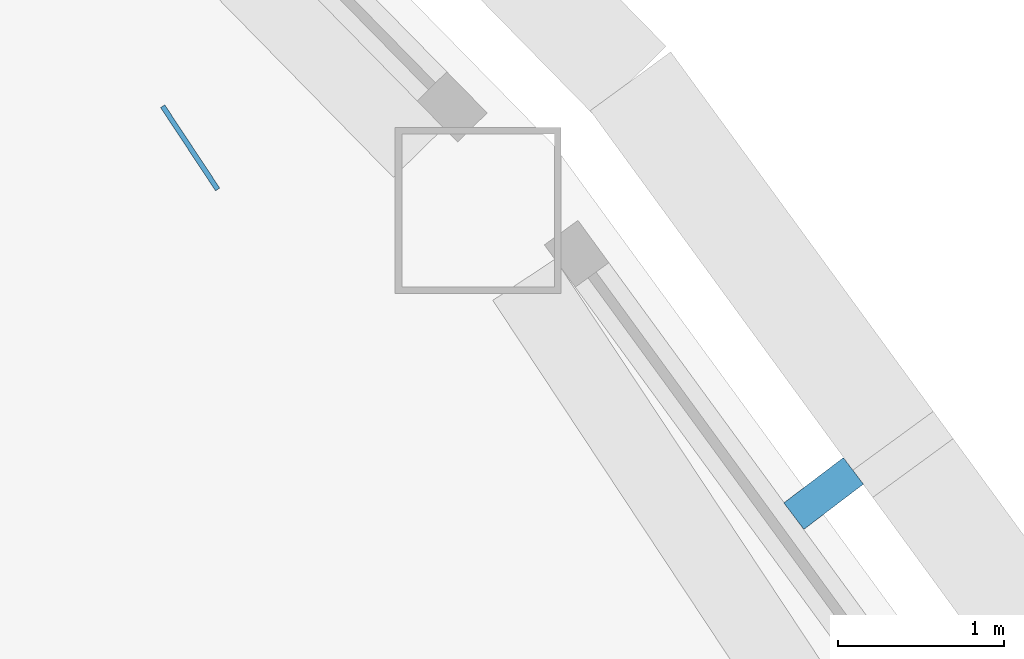
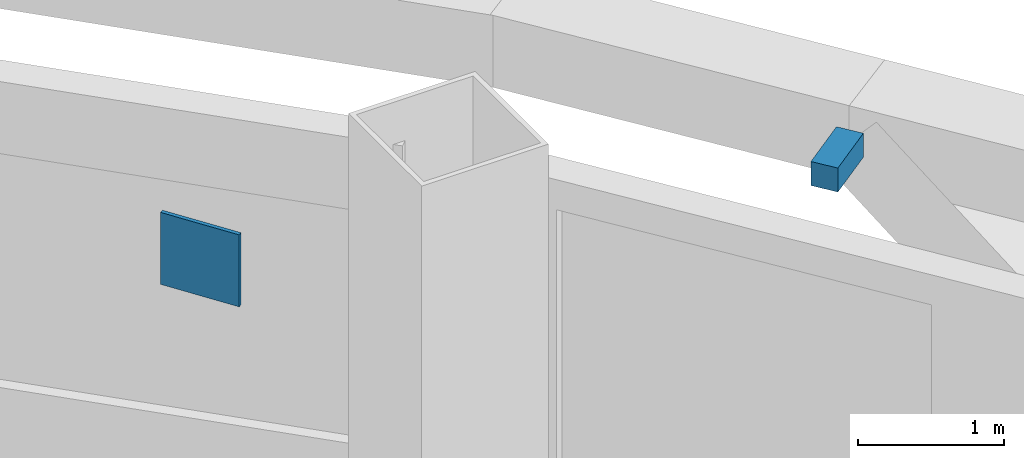
# One storey, part 14 of 19: 2 discrete accessories.
"""IFC4 building model written with IfcOpenShell, lengths in metres."""

from ifc_helpers import new_model, si_unit, direction, frame, origin, origin_2d, place, context, subcontext, project, spatial, rectangle, extrude, material, type_object, element, save


model = new_model("IFC4")

# Units and contexts
model_context = context("Model", 3, precision=1e-05, world=origin(), true_north=direction((0.0, 1.0)))
body_context = subcontext(model_context, "Body", "Model", "MODEL_VIEW")
ifc_project = project(units=[si_unit("LENGTHUNIT", "METRE"), si_unit("AREAUNIT", "SQUARE_METRE"), si_unit("VOLUMEUNIT", "CUBIC_METRE"), si_unit("PLANEANGLEUNIT", "RADIAN"), si_unit("MASSUNIT", "GRAM", prefix="KILO")], contexts=[model_context])

# Site, building, storey
site_placement = place(None, origin())
site = spatial("IfcSite", under=ifc_project, at=site_placement, CompositionType="ELEMENT")
building_placement = place(site_placement, origin())
building = spatial("IfcBuilding", under=site, at=building_placement, Name="Tuul Gate Civic Tower", CompositionType="ELEMENT")
storey_placement = place(building_placement, frame((0.0, 0.0, 163.39990234375)))
storey = spatial("IfcBuildingStorey", under=building, at=storey_placement, Name="Level 37", CompositionType="ELEMENT", Elevation=163.39990234375)

# Discrete accessories
ifc_material_1 = material(Name="Steel S355", Category="steel")
discrete_accessory_type_1 = type_object("IfcDiscreteAccessoryType", Name="Gusset plate", PredefinedType="BRACKET", material=ifc_material_1)
discrete_accessory_1_placement = place(storey_placement, frame((60.011474609375, -16.506591796875, 2.796630859375), z_axis=(0.0, 0.0, 1.0), x_axis=(0.551597524527, -0.834110406922, 0.0)))
element("IfcDiscreteAccessory", 1, at=discrete_accessory_1_placement, inside=storey, type_object=discrete_accessory_type_1, Name="Gusset plate", PredefinedType="BRACKET", context=body_context, shape_type="SweptSolid", body=[
    extrude(rectangle(XDim=0.60009765625, YDim=0.030029296875, at=origin_2d()), origin(), (0.0, 0.0, 1.0), 0.60009765625),
])
ifc_material_2 = material(Name="Stainless steel", Category="steel")
discrete_accessory_type_2 = type_object("IfcDiscreteAccessoryType", Name="Screen bracket", PredefinedType="BRACKET", material=ifc_material_2)
discrete_accessory_2_placement = place(storey_placement, frame((63.826416015625, -18.58837890625, 3.75), z_axis=(0.0, 0.0, 1.0), x_axis=(0.796383218377, 0.604792335837, 0.0)))
element("IfcDiscreteAccessory", 2, at=discrete_accessory_2_placement, inside=storey, type_object=discrete_accessory_type_2, Name="Screen bracket 2", PredefinedType="BRACKET", context=body_context, shape_type="SweptSolid", body=[
    extrude(rectangle(XDim=0.4501953125, YDim=0.199951171875, at=origin_2d()), origin(), (0.0, 0.0, 1.0), 0.199951171875),
])

save(model, "model.ifc")
